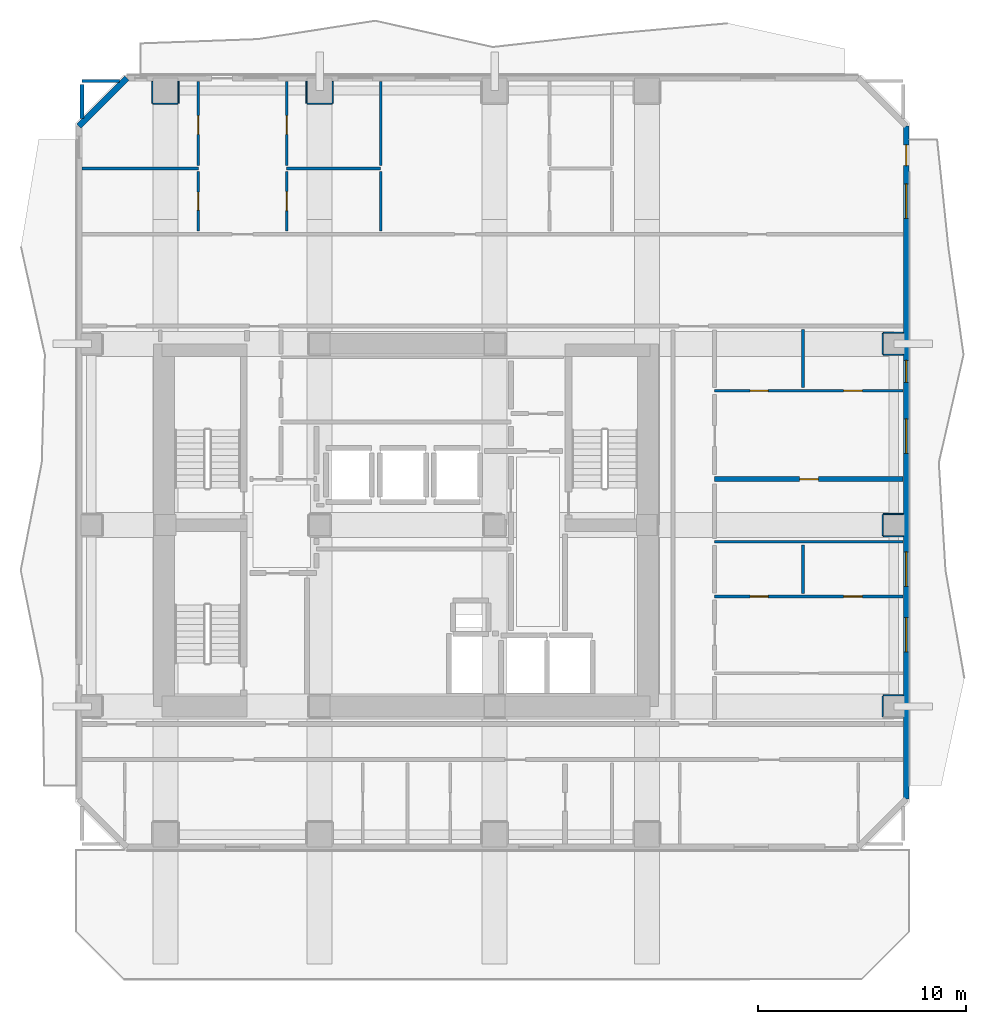
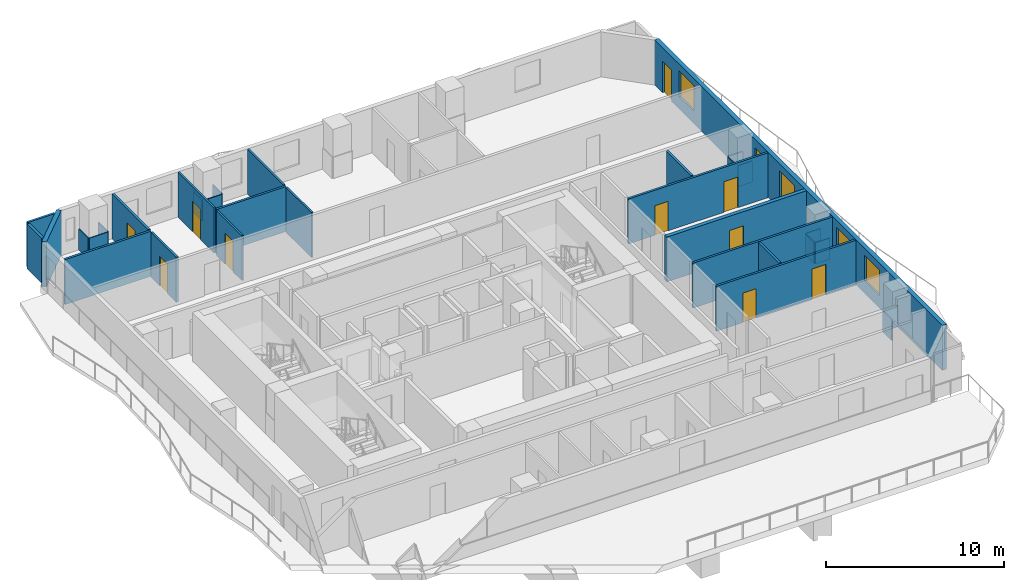
# One storey, part 5 of 9: 32 walls, 10 doors, 5 windows, 15 openings.
"""IFC4 building model written with IfcOpenShell, lengths in metres."""

from ifc_helpers import new_model, si_unit, direction, frame, frame_2d, origin, place, context, subcontext, project, spatial, rectangle, extrude, material, layer, layer_set, type_object, element, fill, save


model = new_model("IFC4")

# Units and contexts
model_context = context("Model", 3, precision=1e-05, world=origin(), true_north=direction((0.0, 1.0)))
body_context = subcontext(model_context, "Body", "Model", "MODEL_VIEW")
ifc_project = project(units=[si_unit("LENGTHUNIT", "METRE"), si_unit("AREAUNIT", "SQUARE_METRE"), si_unit("VOLUMEUNIT", "CUBIC_METRE"), si_unit("PLANEANGLEUNIT", "RADIAN"), si_unit("MASSUNIT", "GRAM", prefix="KILO")], contexts=[model_context])

# Site, building, storey
site_placement = place(None, origin())
site = spatial("IfcSite", under=ifc_project, at=site_placement, CompositionType="ELEMENT")
building_placement = place(site_placement, origin())
building = spatial("IfcBuilding", under=site, at=building_placement, Name="Solanera Arch Residences", CompositionType="ELEMENT")
storey_placement = place(building_placement, frame((0.0, 0.0, 145.919921875)))
storey = spatial("IfcBuildingStorey", under=building, at=storey_placement, Name="L42", CompositionType="ELEMENT", Elevation=145.919921875)

# Walls
ifc_material_1 = material(Name="Fire-Rated Gypsum Stud Partition", Category="gypsum")
ifc_layer_1 = layer(ifc_material_1, 0.06005859375)
ifc_layer_set_1 = layer_set([ifc_layer_1], Name="Fire-Rated Gypsum Stud Partition")
wall_type_1 = type_object("IfcWallType", Name="Column Acoustic Furring Wall 60", PredefinedType="PARTITIONING", material=ifc_layer_set_1)
wall_1_placement = place(storey_placement, frame((12.800048828125, 50.91796875, 0.0), z_axis=(0.0, 0.0, 1.0), x_axis=(1.0, 0.0, 0.0)))
element("IfcWall", 1, at=wall_1_placement, inside=storey, type_object=wall_type_1, Name="L42 Column Furring 10S", PredefinedType="PARTITIONING", context=body_context, shape_type="SweptSolid", body=[
    extrude(rectangle(XDim=1.199951171875, YDim=0.06005859375, at=frame_2d((0.60009765625, 0.0))), origin(), (0.0, 0.0, 1.0), 1.4501953125),
])
for number, where, z_axis, x_axis, name in (
    (2, (12.76806640625, 50.949951171875, 0.0), (0.0, 0.0, 1.0), (0.0, 1.0, 0.0), "L42 Column Furring 10W"),
    (3, (14.031982421875, 50.949951171875, 0.0), (0.0, 0.0, 1.0), (0.0, 1.0, 0.0), "L42 Column Furring 10E"),
):
    element("IfcWall", number, at=place(storey_placement, frame(where, z_axis=z_axis, x_axis=x_axis)), inside=storey, type_object=wall_type_1, Name=name, PredefinedType="PARTITIONING", context=body_context, shape_type="SweptSolid", body=[
        extrude(rectangle(XDim=1.0400390625, YDim=0.06005859375, at=frame_2d((0.52001953125, 0.0))), origin(), (0.0, 0.0, 1.0), 1.4501953125),
    ])
wall_2_placement = place(storey_placement, frame((20.199951171875, 50.91796875, 0.0), z_axis=(0.0, 0.0, 1.0), x_axis=(1.0, 0.0, 0.0)))
element("IfcWall", 4, at=wall_2_placement, inside=storey, type_object=wall_type_1, Name="L42 Column Furring 12S", PredefinedType="PARTITIONING", context=body_context, shape_type="SweptSolid", body=[
    extrude(rectangle(XDim=1.199951171875, YDim=0.06005859375, at=frame_2d((0.60009765625, 0.0))), origin(), (0.0, 0.0, 1.0), 1.4501953125),
])
for number, where, z_axis, x_axis, name in (
    (5, (20.16796875, 50.949951171875, 0.0), (0.0, 0.0, 1.0), (0.0, 1.0, 0.0), "L42 Column Furring 12W"),
    (6, (21.431884765625, 50.949951171875, 0.0), (0.0, 0.0, 1.0), (0.0, 1.0, 0.0), "L42 Column Furring 12E"),
):
    element("IfcWall", number, at=place(storey_placement, frame(where, z_axis=z_axis, x_axis=x_axis)), inside=storey, type_object=wall_type_1, Name=name, PredefinedType="PARTITIONING", context=body_context, shape_type="SweptSolid", body=[
        extrude(rectangle(XDim=1.0400390625, YDim=0.06005859375, at=frame_2d((0.52001953125, 0.0))), origin(), (0.0, 0.0, 1.0), 1.4501953125),
    ])
wall_3_placement = place(storey_placement, frame((47.85009765625, 22.531982421875, 0.0), z_axis=(0.0, 0.0, 1.0), x_axis=(1.0, 0.0, 0.0)))
element("IfcWall", 7, at=wall_3_placement, inside=storey, type_object=wall_type_1, Name="L42 Column Furring 18N", PredefinedType="PARTITIONING", context=body_context, shape_type="SweptSolid", body=[
    extrude(rectangle(XDim=0.93994140625, YDim=0.06005859375, at=frame_2d((0.469970703125, 0.0))), origin(), (0.0, 0.0, 1.0), 1.4501953125),
])
wall_4_placement = place(storey_placement, frame((47.818115234375, 21.5, 0.0), z_axis=(0.0, 0.0, 1.0), x_axis=(0.0, 1.0, 0.0)))
element("IfcWall", 8, at=wall_4_placement, inside=storey, type_object=wall_type_1, Name="L42 Column Furring 18W", PredefinedType="PARTITIONING", context=body_context, shape_type="SweptSolid", body=[
    extrude(rectangle(XDim=1.0, YDim=0.06005859375, at=frame_2d((0.5, 0.0))), origin(), (0.0, 0.0, 1.0), 1.4501953125),
])
for number, where, z_axis, x_axis, name in (
    (9, (47.85009765625, 30.16796875, 0.0), (0.0, 0.0, 1.0), (1.0, 0.0, 0.0), "L42 Column Furring 20S"),
    (10, (47.85009765625, 31.23193359375, 0.0), (0.0, 0.0, 1.0), (1.0, 0.0, 0.0), "L42 Column Furring 20N"),
):
    element("IfcWall", number, at=place(storey_placement, frame(where, z_axis=z_axis, x_axis=x_axis)), inside=storey, type_object=wall_type_1, Name=name, PredefinedType="PARTITIONING", context=body_context, shape_type="SweptSolid", body=[
        extrude(rectangle(XDim=0.93994140625, YDim=0.06005859375, at=frame_2d((0.469970703125, 0.0))), origin(), (0.0, 0.0, 1.0), 1.4501953125),
    ])
wall_5_placement = place(storey_placement, frame((47.818115234375, 30.199951171875, 0.0), z_axis=(0.0, 0.0, 1.0), x_axis=(0.0, 1.0, 0.0)))
element("IfcWall", 11, at=wall_5_placement, inside=storey, type_object=wall_type_1, Name="L42 Column Furring 20W", PredefinedType="PARTITIONING", context=body_context, shape_type="SweptSolid", body=[
    extrude(rectangle(XDim=1.0, YDim=0.06005859375, at=frame_2d((0.5, 0.0))), origin(), (0.0, 0.0, 1.0), 1.4501953125),
])
for number, where, z_axis, x_axis, name in (
    (12, (47.85009765625, 38.867919921875, 0.0), (0.0, 0.0, 1.0), (1.0, 0.0, 0.0), "L42 Column Furring 22S"),
    (13, (47.85009765625, 39.931884765625, 0.0), (0.0, 0.0, 1.0), (1.0, 0.0, 0.0), "L42 Column Furring 22N"),
):
    element("IfcWall", number, at=place(storey_placement, frame(where, z_axis=z_axis, x_axis=x_axis)), inside=storey, type_object=wall_type_1, Name=name, PredefinedType="PARTITIONING", context=body_context, shape_type="SweptSolid", body=[
        extrude(rectangle(XDim=0.93994140625, YDim=0.06005859375, at=frame_2d((0.469970703125, 0.0))), origin(), (0.0, 0.0, 1.0), 1.4501953125),
    ])
wall_6_placement = place(storey_placement, frame((47.818115234375, 38.89990234375, 0.0), z_axis=(0.0, 0.0, 1.0), x_axis=(0.0, 1.0, 0.0)))
element("IfcWall", 14, at=wall_6_placement, inside=storey, type_object=wall_type_1, Name="L42 Column Furring 22W", PredefinedType="PARTITIONING", context=body_context, shape_type="SweptSolid", body=[
    extrude(rectangle(XDim=1.0, YDim=0.06005859375, at=frame_2d((0.5, 0.0))), origin(), (0.0, 0.0, 1.0), 1.4501953125),
])
ifc_material_2 = material(Name="Autoclaved Aerated Concrete Blockwork", Category="masonry")
ifc_layer_2 = layer(ifc_material_2, 0.179931640625)
ifc_layer_set_2 = layer_set([ifc_layer_2], Name="Autoclaved Aerated Concrete Blockwork")
wall_type_2 = type_object("IfcWallType", Name="Corridor Fire Partition 180", PredefinedType="PARTITIONING", material=ifc_layer_set_2)
wall_7_placement = place(storey_placement, frame((9.39990234375, 50.205078125, 0.0), z_axis=(0.0, 0.0, 1.0), x_axis=(0.0, 1.0, 0.0)))
element("IfcWall", 15, at=wall_7_placement, inside=storey, type_object=wall_type_2, Name="L42 Interior Partition V8 2", PredefinedType="PARTITIONING", context=body_context, shape_type="SweptSolid", body=[
    extrude(rectangle(XDim=1.626953125, YDim=0.179931640625, at=frame_2d((0.8134765625, 0.0))), origin(), (0.0, 0.0, 1.0), 3.080078125),
])
ifc_material_3 = material(Name="Precast Concrete C35/45", Category="concrete")
ifc_layer_3 = layer(ifc_material_3, 0.280029296875)
ifc_layer_set_3 = layer_set([ifc_layer_3], Name="Precast Concrete C35/45")
wall_type_3 = type_object("IfcWallType", Name="Exterior Wall Precast Masonry-Frame 280", PredefinedType="STANDARD", material=ifc_layer_set_3)
wall_8_placement = place(storey_placement, frame((9.2548828125, 49.844970703125, 0.0), z_axis=(0.0, 0.0, 1.0), x_axis=(0.707106781187, 0.707106781187, 0.0)))
element("IfcWall", 16, at=wall_8_placement, inside=storey, type_object=wall_type_3, Name="L42 Tower Exterior Precast Masonry-Frame Wall CH1", PredefinedType="STANDARD", context=body_context, shape_type="SweptSolid", body=[
    extrude(rectangle(XDim=3.252685546875, YDim=0.280029296875, at=frame_2d((1.62646484375, 0.0))), origin(), (0.0, 0.0, 1.0), 3.080078125),
])

# Wall, openings, door, windows
wall_9_placement = place(storey_placement, frame((48.945068359375, 49.844970703125, 0.0), z_axis=(0.0, 0.0, 1.0), x_axis=(0.0, -1.0, 0.0)))
wall_9 = element("IfcWall", 17, at=wall_9_placement, inside=storey, type_object=wall_type_3, Name="L42 Tower Exterior Precast Masonry-Frame Wall E", PredefinedType="STANDARD", context=body_context, shape_type="SweptSolid", body=[
    extrude(rectangle(XDim=32.2900390625, YDim=0.280029296875, at=frame_2d((16.14501953125, 0.0))), origin(), (0.0, 0.0, 1.0), 3.080078125),
])
opening_1_placement = place(wall_9_placement, frame((0.904052734375, 0.0, 0.0)))
opening_1 = element("IfcOpeningElement", 18, at=opening_1_placement, cuts=wall_9, Name="Opening DB-01", PredefinedType="OPENING", context=body_context, shape_type="SweptSolid", body=[
    extrude(rectangle(XDim=1.0, YDim=2.14990234375, at=frame_2d((0.5, 1.074951171875))), frame((0.0, 0.14990234375, 0.0), z_axis=(0.0, -1.0, 0.0), x_axis=(1.0, 0.0, 0.0)), (0.0, 0.0, 1.0), 0.3),
])
opening_2_placement = place(wall_9_placement, frame((2.77392578125, 0.0, 0.85009765625)))
opening_2 = element("IfcOpeningElement", 19, at=opening_2_placement, cuts=wall_9, Name="Opening W-08", PredefinedType="OPENING", context=body_context, shape_type="SweptSolid", body=[
    extrude(rectangle(XDim=1.64990234375, YDim=1.75, at=frame_2d((0.824951171875, 0.875))), frame((0.0, 0.14990234375, 0.0), z_axis=(0.0, -1.0, 0.0), x_axis=(1.0, 0.0, 0.0)), (0.0, 0.0, 1.0), 0.3),
])
opening_3_placement = place(wall_9_placement, frame((23.58203125, 0.0, 0.85009765625)))
opening_3 = element("IfcOpeningElement", 20, at=opening_3_placement, cuts=wall_9, Name="Opening W-08", PredefinedType="OPENING", context=body_context, shape_type="SweptSolid", body=[
    extrude(rectangle(XDim=1.64990234375, YDim=1.75, at=frame_2d((0.824951171875, 0.875))), frame((0.0, 0.14990234375, 0.0), z_axis=(0.0, -1.0, 0.0), x_axis=(1.0, 0.0, 0.0)), (0.0, 0.0, 1.0), 0.3),
])
opening_4_placement = place(wall_9_placement, frame((20.43310546875, 0.0, 0.85009765625)))
opening_4 = element("IfcOpeningElement", 21, at=opening_4_placement, cuts=wall_9, Name="Opening W-08", PredefinedType="OPENING", context=body_context, shape_type="SweptSolid", body=[
    extrude(rectangle(XDim=1.64990234375, YDim=1.75, at=frame_2d((0.824951171875, 0.875))), frame((0.0, 0.14990234375, 0.0), z_axis=(0.0, -1.0, 0.0), x_axis=(1.0, 0.0, 0.0)), (0.0, 0.0, 1.0), 0.3),
])
opening_5_placement = place(wall_9_placement, frame((14.048095703125, 0.0, 0.85009765625)))
opening_5 = element("IfcOpeningElement", 22, at=opening_5_placement, cuts=wall_9, Name="Opening W-08", PredefinedType="OPENING", context=body_context, shape_type="SweptSolid", body=[
    extrude(rectangle(XDim=1.64990234375, YDim=1.75, at=frame_2d((0.824951171875, 0.875))), frame((0.0, 0.14990234375, 0.0), z_axis=(0.0, -1.0, 0.0), x_axis=(1.0, 0.0, 0.0)), (0.0, 0.0, 1.0), 0.3),
])
opening_6_placement = place(wall_9_placement, frame((11.2470703125, 0.0, 0.85009765625)))
opening_6 = element("IfcOpeningElement", 23, at=opening_6_placement, cuts=wall_9, Name="Opening W-07", PredefinedType="OPENING", context=body_context, shape_type="SweptSolid", body=[
    extrude(rectangle(XDim=1.050048828125, YDim=1.64990234375, at=frame_2d((0.52490234375, 0.824951171875))), frame((0.0, 0.14990234375, 0.0), z_axis=(0.0, -1.0, 0.0), x_axis=(1.0, 0.0, 0.0)), (0.0, 0.0, 1.0), 0.3),
])
ifc_material_4 = material(Name="Anodised Aluminium Alloy 6063-T6", Category="aluminium")
door_type_1 = type_object("IfcDoorType", Name="Glazed Balcony Swing Door DB-01", OperationType="NOTDEFINED", PredefinedType="DOOR", material=ifc_material_4)
door_1_placement = place(opening_1_placement, origin())
door_1 = element("IfcDoor", 24, at=door_1_placement, inside=storey, type_object=door_type_1, Name="DR-L42-OUT-03", OperationType="SINGLE_SWING_RIGHT", OverallHeight=2.14990234375, OverallWidth=1.0, PredefinedType="DOOR", context=body_context, shape_type="SweptSolid", body=[
    extrude(rectangle(XDim=1.0, YDim=2.14990234375, at=frame_2d((0.5, 1.074951171875))), frame((0.0, 0.02490234375, 0.0), z_axis=(0.0, -1.0, 0.0), x_axis=(1.0, 0.0, 0.0)), (0.0, 0.0, 1.0), 0.050048828125),
])
fill(opening_1, door_1)
ifc_material_5 = material(Name="Double Glazed Low-E Laminated Glass", Category="glass")
window_type_1 = type_object("IfcWindowType", Name="Punched Window W-07", PartitioningType="SINGLE_PANEL", PredefinedType="WINDOW", material=ifc_material_5)
window_1_placement = place(opening_6_placement, origin())
window_1 = element("IfcWindow", 25, at=window_1_placement, inside=storey, type_object=window_type_1, Name="L42 4207-BR1 Punched Window", OverallHeight=1.64990234375, OverallWidth=1.050048828125, PartitioningType="SINGLE_PANEL", PredefinedType="WINDOW", context=body_context, shape_type="SweptSolid", body=[
    extrude(rectangle(XDim=1.050048828125, YDim=1.64990234375, at=frame_2d((0.52490234375, 0.824951171875))), frame((0.0, 0.030029296875, 0.0), z_axis=(0.0, -1.0, 0.0), x_axis=(1.0, 0.0, 0.0)), (0.0, 0.0, 1.0), 0.06005859375),
])
fill(opening_6, window_1)
ifc_material_6 = material(Name="Double Glazed Low-E Laminated Glass", Category="glass")
window_type_2 = type_object("IfcWindowType", Name="Punched Window W-08", PartitioningType="DOUBLE_PANEL_HORIZONTAL", PredefinedType="WINDOW", material=ifc_material_6)
window_2_placement = place(opening_2_placement, origin())
window_2 = element("IfcWindow", 26, at=window_2_placement, inside=storey, type_object=window_type_2, Name="L42 AMN-OFF Punched Window", OverallHeight=1.75, OverallWidth=1.64990234375, PartitioningType="SINGLE_PANEL", PredefinedType="WINDOW", context=body_context, shape_type="SweptSolid", body=[
    extrude(rectangle(XDim=1.64990234375, YDim=1.75, at=frame_2d((0.824951171875, 0.875))), frame((0.0, 0.030029296875, 0.0), z_axis=(0.0, -1.0, 0.0), x_axis=(1.0, 0.0, 0.0)), (0.0, 0.0, 1.0), 0.06005859375),
])
fill(opening_2, window_2)
window_3_placement = place(opening_3_placement, origin())
window_3 = element("IfcWindow", 27, at=window_3_placement, inside=storey, type_object=window_type_2, Name="L42 4206-LIV Punched Window", OverallHeight=1.75, OverallWidth=1.64990234375, PartitioningType="SINGLE_PANEL", PredefinedType="WINDOW", context=body_context, shape_type="SweptSolid", body=[
    extrude(rectangle(XDim=1.64990234375, YDim=1.75, at=frame_2d((0.824951171875, 0.875))), frame((0.0, 0.030029296875, 0.0), z_axis=(0.0, -1.0, 0.0), x_axis=(1.0, 0.0, 0.0)), (0.0, 0.0, 1.0), 0.06005859375),
])
fill(opening_3, window_3)
window_4_placement = place(opening_4_placement, origin())
window_4 = element("IfcWindow", 28, at=window_4_placement, inside=storey, type_object=window_type_2, Name="L42 4206-BR1 Punched Window", OverallHeight=1.75, OverallWidth=1.64990234375, PartitioningType="SINGLE_PANEL", PredefinedType="WINDOW", context=body_context, shape_type="SweptSolid", body=[
    extrude(rectangle(XDim=1.64990234375, YDim=1.75, at=frame_2d((0.824951171875, 0.875))), frame((0.0, 0.030029296875, 0.0), z_axis=(0.0, -1.0, 0.0), x_axis=(1.0, 0.0, 0.0)), (0.0, 0.0, 1.0), 0.06005859375),
])
fill(opening_4, window_4)
window_5_placement = place(opening_5_placement, origin())
window_5 = element("IfcWindow", 29, at=window_5_placement, inside=storey, type_object=window_type_2, Name="L42 4207-LIV Punched Window", OverallHeight=1.75, OverallWidth=1.64990234375, PartitioningType="SINGLE_PANEL", PredefinedType="WINDOW", context=body_context, shape_type="SweptSolid", body=[
    extrude(rectangle(XDim=1.64990234375, YDim=1.75, at=frame_2d((0.824951171875, 0.875))), frame((0.0, 0.030029296875, 0.0), z_axis=(0.0, -1.0, 0.0), x_axis=(1.0, 0.0, 0.0)), (0.0, 0.0, 1.0), 0.06005859375),
])
fill(opening_5, window_5)

# Wall, opening, door
ifc_material_7 = material(Name="Autoclaved Aerated Concrete Blockwork", Category="masonry")
ifc_layer_4 = layer(ifc_material_7, 0.239990234375)
ifc_layer_set_4 = layer_set([ifc_layer_4], Name="Autoclaved Aerated Concrete Blockwork")
wall_type_4 = type_object("IfcWallType", Name="Shaft Wall Fire-Rated 240", PredefinedType="PARTITIONING", material=ifc_layer_set_4)
wall_10_placement = place(storey_placement, frame((39.75, 32.89990234375, 0.0), z_axis=(0.0, 0.0, 1.0), x_axis=(1.0, 0.0, 0.0)))
wall_10 = element("IfcWall", 30, at=wall_10_placement, inside=storey, type_object=wall_type_4, Name="L42 Interior Partition H5", PredefinedType="PARTITIONING", context=body_context, shape_type="SweptSolid", body=[
    extrude(rectangle(XDim=9.04296875, YDim=0.239990234375, at=frame_2d((4.521484375, 0.0))), origin(), (0.0, 0.0, 1.0), 3.080078125),
])
opening_7_placement = place(wall_10_placement, frame((4.074951171875, 0.0, 0.0)))
opening_7 = element("IfcOpeningElement", 31, at=opening_7_placement, cuts=wall_10, Name="Opening DI-02", PredefinedType="OPENING", context=body_context, shape_type="SweptSolid", body=[
    extrude(rectangle(XDim=0.89990234375, YDim=2.10009765625, at=frame_2d((0.449951171875, 1.050048828125))), frame((0.0, 0.1298828125, 0.0), z_axis=(0.0, -1.0, 0.0), x_axis=(1.0, 0.0, 0.0)), (0.0, 0.0, 1.0), 0.26),
])
ifc_material_8 = material(Name="Fire-Rated Architectural Hardwood", Category="wood")
door_type_2 = type_object("IfcDoorType", Name="Suite Room Swing Door DI-02", OperationType="NOTDEFINED", PredefinedType="DOOR", material=ifc_material_8)
door_2_placement = place(opening_7_placement, origin())
door_2 = element("IfcDoor", 32, at=door_2_placement, inside=storey, type_object=door_type_2, Name="DR-L42-IN-040", OperationType="SINGLE_SWING_LEFT", OverallHeight=2.10009765625, OverallWidth=0.89990234375, PredefinedType="DOOR", context=body_context, shape_type="SweptSolid", body=[
    extrude(rectangle(XDim=0.89990234375, YDim=2.10009765625, at=frame_2d((0.449951171875, 1.050048828125))), frame((0.0, 0.02490234375, 0.0), z_axis=(0.0, -1.0, 0.0), x_axis=(1.0, 0.0, 0.0)), (0.0, 0.0, 1.0), 0.050048828125),
])
fill(opening_7, door_2)

ifc_material_9 = material(Name="Fire-Rated Gypsum Stud Partition", Category="gypsum")
ifc_layer_5 = layer(ifc_material_9, 0.1201171875)
ifc_layer_set_5 = layer_set([ifc_layer_5], Name="Fire-Rated Gypsum Stud Partition")
wall_type_5 = type_object("IfcWallType", Name="Unit Drywall Partition 120", PredefinedType="PARTITIONING", material=ifc_layer_set_5)
wall_11_placement = place(storey_placement, frame((19.219970703125, 44.80810546875, 0.0), z_axis=(0.0, 0.0, 1.0), x_axis=(0.0, 1.0, 0.0)))
wall_11 = element("IfcWall", 33, at=wall_11_placement, inside=storey, type_object=wall_type_5, Name="L42 Interior Partition V24 1", PredefinedType="PARTITIONING", context=body_context, shape_type="SweptSolid", body=[
    extrude(rectangle(XDim=2.864013671875, YDim=0.1201171875, at=frame_2d((1.43212890625, 0.0))), origin(), (0.0, 0.0, 1.0), 3.080078125),
])
opening_8_placement = place(wall_11_placement, frame((0.985107421875, 0.0, 0.0)))
opening_8 = element("IfcOpeningElement", 34, at=opening_8_placement, cuts=wall_11, Name="Opening DI-02", PredefinedType="OPENING", context=body_context, shape_type="SweptSolid", body=[
    extrude(rectangle(XDim=0.89990234375, YDim=2.10009765625, at=frame_2d((0.449951171875, 1.050048828125))), frame((0.0, 0.070068359375, 0.0), z_axis=(0.0, -1.0, 0.0), x_axis=(1.0, 0.0, 0.0)), (0.0, 0.0, 1.0), 0.1401),
])
door_3_placement = place(opening_8_placement, origin())
door_3 = element("IfcDoor", 35, at=door_3_placement, inside=storey, type_object=door_type_2, Name="DR-L42-IN-029", OperationType="SINGLE_SWING_RIGHT", OverallHeight=2.10009765625, OverallWidth=0.89990234375, PredefinedType="DOOR", context=body_context, shape_type="SweptSolid", body=[
    extrude(rectangle(XDim=0.89990234375, YDim=2.10009765625, at=frame_2d((0.449951171875, 1.050048828125))), frame((0.0, 0.02490234375, 0.0), z_axis=(0.0, -1.0, 0.0), x_axis=(1.0, 0.0, 0.0)), (0.0, 0.0, 1.0), 0.050048828125),
])
fill(opening_8, door_3)

wall_12_placement = place(storey_placement, frame((19.219970703125, 47.947998046875, 0.0), z_axis=(0.0, 0.0, 1.0), x_axis=(0.0, 1.0, 0.0)))
wall_12 = element("IfcWall", 36, at=wall_12_placement, inside=storey, type_object=wall_type_5, Name="L42 Interior Partition V24 2", PredefinedType="PARTITIONING", context=body_context, shape_type="SweptSolid", body=[
    extrude(rectangle(XDim=4.044921875, YDim=0.1201171875, at=frame_2d((2.0224609375, 0.0))), origin(), (0.0, 0.0, 1.0), 3.080078125),
])
opening_9_placement = place(wall_12_placement, frame((1.493896484375, 0.0, 0.0)))
opening_9 = element("IfcOpeningElement", 37, at=opening_9_placement, cuts=wall_12, Name="Opening DI-03", PredefinedType="OPENING", context=body_context, shape_type="SweptSolid", body=[
    extrude(rectangle(XDim=0.89990234375, YDim=2.10009765625, at=frame_2d((0.449951171875, 1.050048828125))), frame((0.0, 0.070068359375, 0.0), z_axis=(0.0, -1.0, 0.0), x_axis=(1.0, 0.0, 0.0)), (0.0, 0.0, 1.0), 0.1401),
])
ifc_material_10 = material(Name="Fire-Rated Architectural Hardwood", Category="wood")
door_type_3 = type_object("IfcDoorType", Name="Bedroom Swing Door DI-03", OperationType="NOTDEFINED", PredefinedType="DOOR", material=ifc_material_10)
door_4_placement = place(opening_9_placement, origin())
door_4 = element("IfcDoor", 38, at=door_4_placement, inside=storey, type_object=door_type_3, Name="DR-L42-IN-030", OperationType="SINGLE_SWING_LEFT", OverallHeight=2.10009765625, OverallWidth=0.89990234375, PredefinedType="DOOR", context=body_context, shape_type="SweptSolid", body=[
    extrude(rectangle(XDim=0.89990234375, YDim=2.10009765625, at=frame_2d((0.449951171875, 1.050048828125))), frame((0.0, 0.02490234375, 0.0), z_axis=(0.0, -1.0, 0.0), x_axis=(1.0, 0.0, 0.0)), (0.0, 0.0, 1.0), 0.050048828125),
])
fill(opening_9, door_4)

# Walls
wall_13_placement = place(storey_placement, frame((23.72607421875, 44.80810546875, 0.0), z_axis=(0.0, 0.0, 1.0), x_axis=(0.0, 1.0, 0.0)))
element("IfcWall", 39, at=wall_13_placement, inside=storey, type_object=wall_type_5, Name="L42 Interior Partition V26 1", PredefinedType="PARTITIONING", context=body_context, shape_type="SweptSolid", body=[
    extrude(rectangle(XDim=2.864013671875, YDim=0.1201171875, at=frame_2d((1.43212890625, 0.0))), origin(), (0.0, 0.0, 1.0), 3.080078125),
])
wall_14_placement = place(storey_placement, frame((23.72607421875, 47.947998046875, 0.0), z_axis=(0.0, 0.0, 1.0), x_axis=(0.0, 1.0, 0.0)))
element("IfcWall", 40, at=wall_14_placement, inside=storey, type_object=wall_type_5, Name="L42 Interior Partition V26 2", PredefinedType="PARTITIONING", context=body_context, shape_type="SweptSolid", body=[
    extrude(rectangle(XDim=4.044921875, YDim=0.1201171875, at=frame_2d((2.0224609375, 0.0))), origin(), (0.0, 0.0, 1.0), 3.080078125),
])

# Wall, openings, doors
ifc_material_11 = material(Name="Autoclaved Aerated Concrete Blockwork", Category="masonry")
ifc_layer_6 = layer(ifc_material_11, 0.139892578125)
ifc_layer_set_6 = layer_set([ifc_layer_6], Name="Autoclaved Aerated Concrete Blockwork")
wall_type_6 = type_object("IfcWallType", Name="Wet-Room Partition 140", PredefinedType="PARTITIONING", material=ifc_layer_set_6)
wall_15_placement = place(storey_placement, frame((39.75, 27.27490234375, 0.0), z_axis=(0.0, 0.0, 1.0), x_axis=(1.0, 0.0, 0.0)))
wall_15 = element("IfcWall", 41, at=wall_15_placement, inside=storey, type_object=wall_type_6, Name="L42 Interior Partition H15", PredefinedType="PARTITIONING", context=body_context, shape_type="SweptSolid", body=[
    extrude(rectangle(XDim=9.04296875, YDim=0.139892578125, at=frame_2d((4.521484375, 0.0))), origin(), (0.0, 0.0, 1.0), 3.080078125),
])
opening_10_placement = place(wall_15_placement, frame((1.7080078125, 0.0, 0.0)))
opening_10 = element("IfcOpeningElement", 42, at=opening_10_placement, cuts=wall_15, Name="Opening DI-05", PredefinedType="OPENING", context=body_context, shape_type="SweptSolid", body=[
    extrude(rectangle(XDim=0.860107421875, YDim=2.02001953125, at=frame_2d((0.43017578125, 1.010009765625))), frame((0.0, 0.079833984375, 0.0), z_axis=(0.0, -1.0, 0.0), x_axis=(1.0, 0.0, 0.0)), (0.0, 0.0, 1.0), 0.1599),
])
opening_11_placement = place(wall_15_placement, frame((6.18701171875, 0.0, 0.0)))
opening_11 = element("IfcOpeningElement", 43, at=opening_11_placement, cuts=wall_15, Name="Opening DI-03", PredefinedType="OPENING", context=body_context, shape_type="SweptSolid", body=[
    extrude(rectangle(XDim=0.89990234375, YDim=2.10009765625, at=frame_2d((0.449951171875, 1.050048828125))), frame((0.0, 0.079833984375, 0.0), z_axis=(0.0, -1.0, 0.0), x_axis=(1.0, 0.0, 0.0)), (0.0, 0.0, 1.0), 0.1599),
])
ifc_material_12 = material(Name="Fire-Rated Architectural Hardwood", Category="wood")
door_type_4 = type_object("IfcDoorType", Name="Bathroom Swing Door DI-05", OperationType="NOTDEFINED", PredefinedType="DOOR", material=ifc_material_12)
door_5_placement = place(opening_10_placement, origin())
door_5 = element("IfcDoor", 44, at=door_5_placement, inside=storey, type_object=door_type_4, Name="DR-L42-IN-037", OperationType="SINGLE_SWING_RIGHT", OverallHeight=2.02001953125, OverallWidth=0.860107421875, PredefinedType="DOOR", context=body_context, shape_type="SweptSolid", body=[
    extrude(rectangle(XDim=0.860107421875, YDim=2.02001953125, at=frame_2d((0.43017578125, 1.010009765625))), frame((0.0, 0.02490234375, 0.0), z_axis=(0.0, -1.0, 0.0), x_axis=(1.0, 0.0, 0.0)), (0.0, 0.0, 1.0), 0.050048828125),
])
fill(opening_10, door_5)
door_6_placement = place(opening_11_placement, origin())
door_6 = element("IfcDoor", 45, at=door_6_placement, inside=storey, type_object=door_type_3, Name="DR-L42-IN-038", OperationType="SINGLE_SWING_LEFT", OverallHeight=2.10009765625, OverallWidth=0.89990234375, PredefinedType="DOOR", context=body_context, shape_type="SweptSolid", body=[
    extrude(rectangle(XDim=0.89990234375, YDim=2.10009765625, at=frame_2d((0.449951171875, 1.050048828125))), frame((0.0, 0.02490234375, 0.0), z_axis=(0.0, -1.0, 0.0), x_axis=(1.0, 0.0, 0.0)), (0.0, 0.0, 1.0), 0.050048828125),
])
fill(opening_11, door_6)

# Wall
wall_16_placement = place(storey_placement, frame((39.75, 29.89990234375, 0.0), z_axis=(0.0, 0.0, 1.0), x_axis=(1.0, 0.0, 0.0)))
element("IfcWall", 46, at=wall_16_placement, inside=storey, type_object=wall_type_6, Name="L42 Interior Partition H16", PredefinedType="PARTITIONING", context=body_context, shape_type="SweptSolid", body=[
    extrude(rectangle(XDim=9.04296875, YDim=0.139892578125, at=frame_2d((4.521484375, 0.0))), origin(), (0.0, 0.0, 1.0), 3.080078125),
])

# Wall, openings, doors
wall_17_placement = place(storey_placement, frame((39.75, 37.14501953125, 0.0), z_axis=(0.0, 0.0, 1.0), x_axis=(1.0, 0.0, 0.0)))
wall_17 = element("IfcWall", 47, at=wall_17_placement, inside=storey, type_object=wall_type_6, Name="L42 Interior Partition H17", PredefinedType="PARTITIONING", context=body_context, shape_type="SweptSolid", body=[
    extrude(rectangle(XDim=9.04296875, YDim=0.139892578125, at=frame_2d((4.521484375, 0.0))), origin(), (0.0, 0.0, 1.0), 3.080078125),
])
opening_12_placement = place(wall_17_placement, frame((1.7080078125, 0.0, 0.0)))
opening_12 = element("IfcOpeningElement", 48, at=opening_12_placement, cuts=wall_17, Name="Opening DI-05", PredefinedType="OPENING", context=body_context, shape_type="SweptSolid", body=[
    extrude(rectangle(XDim=0.860107421875, YDim=2.02001953125, at=frame_2d((0.43017578125, 1.010009765625))), frame((0.0, 0.079833984375, 0.0), z_axis=(0.0, -1.0, 0.0), x_axis=(1.0, 0.0, 0.0)), (0.0, 0.0, 1.0), 0.1599),
])
opening_13_placement = place(wall_17_placement, frame((6.18701171875, 0.0, 0.0)))
opening_13 = element("IfcOpeningElement", 49, at=opening_13_placement, cuts=wall_17, Name="Opening DI-03", PredefinedType="OPENING", context=body_context, shape_type="SweptSolid", body=[
    extrude(rectangle(XDim=0.89990234375, YDim=2.10009765625, at=frame_2d((0.449951171875, 1.050048828125))), frame((0.0, 0.079833984375, 0.0), z_axis=(0.0, -1.0, 0.0), x_axis=(1.0, 0.0, 0.0)), (0.0, 0.0, 1.0), 0.1599),
])
door_7_placement = place(opening_12_placement, origin())
door_7 = element("IfcDoor", 50, at=door_7_placement, inside=storey, type_object=door_type_4, Name="DR-L42-IN-041", OperationType="SINGLE_SWING_RIGHT", OverallHeight=2.02001953125, OverallWidth=0.860107421875, PredefinedType="DOOR", context=body_context, shape_type="SweptSolid", body=[
    extrude(rectangle(XDim=0.860107421875, YDim=2.02001953125, at=frame_2d((0.43017578125, 1.010009765625))), frame((0.0, 0.02490234375, 0.0), z_axis=(0.0, -1.0, 0.0), x_axis=(1.0, 0.0, 0.0)), (0.0, 0.0, 1.0), 0.050048828125),
])
fill(opening_12, door_7)
door_8_placement = place(opening_13_placement, origin())
door_8 = element("IfcDoor", 51, at=door_8_placement, inside=storey, type_object=door_type_3, Name="DR-L42-IN-042", OperationType="SINGLE_SWING_LEFT", OverallHeight=2.10009765625, OverallWidth=0.89990234375, PredefinedType="DOOR", context=body_context, shape_type="SweptSolid", body=[
    extrude(rectangle(XDim=0.89990234375, YDim=2.10009765625, at=frame_2d((0.449951171875, 1.050048828125))), frame((0.0, 0.02490234375, 0.0), z_axis=(0.0, -1.0, 0.0), x_axis=(1.0, 0.0, 0.0)), (0.0, 0.0, 1.0), 0.050048828125),
])
fill(opening_13, door_8)

# Walls
wall_18_placement = place(storey_placement, frame((9.406982421875, 47.81005859375, 0.0), z_axis=(0.0, 0.0, 1.0), x_axis=(1.0, 0.0, 0.0)))
element("IfcWall", 52, at=wall_18_placement, inside=storey, type_object=wall_type_6, Name="L42 Interior Partition H18", PredefinedType="PARTITIONING", context=body_context, shape_type="SweptSolid", body=[
    extrude(rectangle(XDim=5.572998046875, YDim=0.139892578125, at=frame_2d((2.78662109375, 0.0))), origin(), (0.0, 0.0, 1.0), 3.080078125),
])
wall_19_placement = place(storey_placement, frame((19.219970703125, 47.81005859375, 0.0), z_axis=(0.0, 0.0, 1.0), x_axis=(1.0, 0.0, 0.0)))
element("IfcWall", 53, at=wall_19_placement, inside=storey, type_object=wall_type_6, Name="L42 Interior Partition H19", PredefinedType="PARTITIONING", context=body_context, shape_type="SweptSolid", body=[
    extrude(rectangle(XDim=4.506103515625, YDim=0.139892578125, at=frame_2d((2.2529296875, 0.0))), origin(), (0.0, 0.0, 1.0), 3.080078125),
])
wall_20_placement = place(storey_placement, frame((9.39990234375, 52.0, 0.0), z_axis=(0.0, 0.0, 1.0), x_axis=(1.0, 0.0, 0.0)))
element("IfcWall", 54, at=wall_20_placement, inside=storey, type_object=wall_type_6, Name="L42 Interior Partition H21 1", PredefinedType="PARTITIONING", context=body_context, shape_type="SweptSolid", body=[
    extrude(rectangle(XDim=1.795166015625, YDim=0.139892578125, at=frame_2d((0.8974609375, 0.0))), origin(), (0.0, 0.0, 1.0), 3.080078125),
])

# Wall, opening, door
wall_21_placement = place(storey_placement, frame((14.97998046875, 44.818115234375, 0.0), z_axis=(0.0, 0.0, 1.0), x_axis=(0.0, 1.0, 0.0)))
wall_21 = element("IfcWall", 55, at=wall_21_placement, inside=storey, type_object=wall_type_6, Name="L42 Interior Partition V15 1", PredefinedType="PARTITIONING", context=body_context, shape_type="SweptSolid", body=[
    extrude(rectangle(XDim=2.843994140625, YDim=0.139892578125, at=frame_2d((1.421875, 0.0))), origin(), (0.0, 0.0, 1.0), 3.080078125),
])
opening_14_placement = place(wall_21_placement, frame((0.9951171875, 0.0, 0.0)))
opening_14 = element("IfcOpeningElement", 56, at=opening_14_placement, cuts=wall_21, Name="Opening DI-05", PredefinedType="OPENING", context=body_context, shape_type="SweptSolid", body=[
    extrude(rectangle(XDim=0.860107421875, YDim=2.02001953125, at=frame_2d((0.43017578125, 1.010009765625))), frame((0.0, 0.079833984375, 0.0), z_axis=(0.0, -1.0, 0.0), x_axis=(1.0, 0.0, 0.0)), (0.0, 0.0, 1.0), 0.1599),
])
door_9_placement = place(opening_14_placement, origin())
door_9 = element("IfcDoor", 57, at=door_9_placement, inside=storey, type_object=door_type_4, Name="DR-L42-IN-027", OperationType="SINGLE_SWING_RIGHT", OverallHeight=2.02001953125, OverallWidth=0.860107421875, PredefinedType="DOOR", context=body_context, shape_type="SweptSolid", body=[
    extrude(rectangle(XDim=0.860107421875, YDim=2.02001953125, at=frame_2d((0.43017578125, 1.010009765625))), frame((0.0, 0.02490234375, 0.0), z_axis=(0.0, -1.0, 0.0), x_axis=(1.0, 0.0, 0.0)), (0.0, 0.0, 1.0), 0.050048828125),
])
fill(opening_14, door_9)

wall_22_placement = place(storey_placement, frame((14.97998046875, 47.9580078125, 0.0), z_axis=(0.0, 0.0, 1.0), x_axis=(0.0, 1.0, 0.0)))
wall_22 = element("IfcWall", 58, at=wall_22_placement, inside=storey, type_object=wall_type_6, Name="L42 Interior Partition V15 2", PredefinedType="PARTITIONING", context=body_context, shape_type="SweptSolid", body=[
    extrude(rectangle(XDim=4.034912109375, YDim=0.139892578125, at=frame_2d((2.017578125, 0.0))), origin(), (0.0, 0.0, 1.0), 3.080078125),
])
opening_15_placement = place(wall_22_placement, frame((1.48388671875, 0.0, 0.0)))
opening_15 = element("IfcOpeningElement", 59, at=opening_15_placement, cuts=wall_22, Name="Opening DI-03", PredefinedType="OPENING", context=body_context, shape_type="SweptSolid", body=[
    extrude(rectangle(XDim=0.89990234375, YDim=2.10009765625, at=frame_2d((0.449951171875, 1.050048828125))), frame((0.0, 0.079833984375, 0.0), z_axis=(0.0, -1.0, 0.0), x_axis=(1.0, 0.0, 0.0)), (0.0, 0.0, 1.0), 0.1599),
])
door_10_placement = place(opening_15_placement, origin())
door_10 = element("IfcDoor", 60, at=door_10_placement, inside=storey, type_object=door_type_3, Name="DR-L42-IN-028", OperationType="SINGLE_SWING_LEFT", OverallHeight=2.10009765625, OverallWidth=0.89990234375, PredefinedType="DOOR", context=body_context, shape_type="SweptSolid", body=[
    extrude(rectangle(XDim=0.89990234375, YDim=2.10009765625, at=frame_2d((0.449951171875, 1.050048828125))), frame((0.0, 0.02490234375, 0.0), z_axis=(0.0, -1.0, 0.0), x_axis=(1.0, 0.0, 0.0)), (0.0, 0.0, 1.0), 0.050048828125),
])
fill(opening_15, door_10)

# Walls
wall_23_placement = place(storey_placement, frame((44.0, 27.423095703125, 0.0), z_axis=(0.0, 0.0, 1.0), x_axis=(0.0, 1.0, 0.0)))
element("IfcWall", 61, at=wall_23_placement, inside=storey, type_object=wall_type_6, Name="L42 Interior Partition V22", PredefinedType="PARTITIONING", context=body_context, shape_type="SweptSolid", body=[
    extrude(rectangle(XDim=2.328857421875, YDim=0.139892578125, at=frame_2d((1.16455078125, 0.0))), origin(), (0.0, 0.0, 1.0), 3.080078125),
])
wall_24_placement = place(storey_placement, frame((44.0, 37.29296875, 0.0), z_axis=(0.0, 0.0, 1.0), x_axis=(0.0, 1.0, 0.0)))
element("IfcWall", 62, at=wall_24_placement, inside=storey, type_object=wall_type_6, Name="L42 Interior Partition V23", PredefinedType="PARTITIONING", context=body_context, shape_type="SweptSolid", body=[
    extrude(rectangle(XDim=2.7890625, YDim=0.139892578125, at=frame_2d((1.39453125, 0.0))), origin(), (0.0, 0.0, 1.0), 3.080078125),
])

save(model, "model.ifc")
